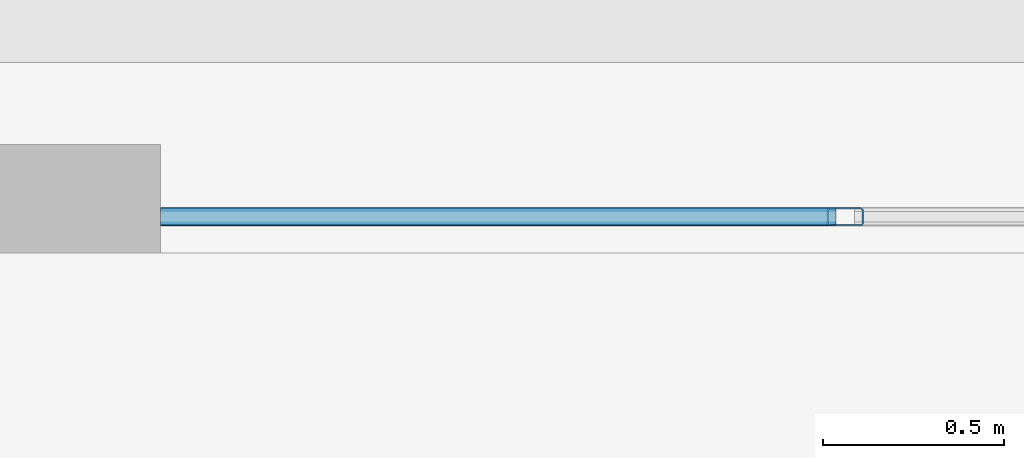
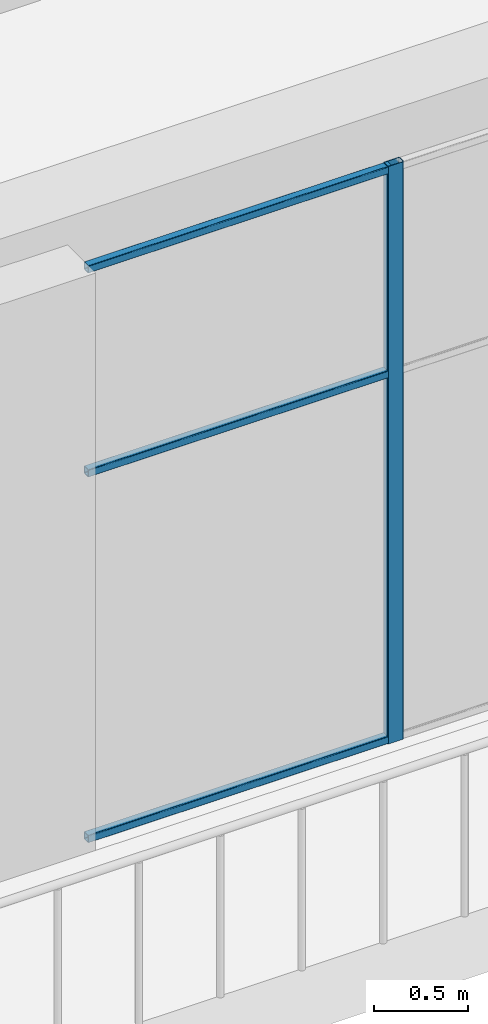
# One storey, part 38 of 81: 4 members, 1 element without a shape of its own.
"""IFC4 building model written with IfcOpenShell, lengths in metres."""

from ifc_helpers import new_model, si_unit, direction, frame, origin, origin_2d, place, context, subcontext, project, spatial, hollow_rectangle, extrude, material, layer, layer_set, material_profile, profile_set, type_object, element, aggregate, save


model = new_model("IFC4")

# Units and contexts
model_context = context("Model", 3, precision=1e-05, world=origin(), true_north=direction((0.0, 1.0)))
body_context = subcontext(model_context, "Body", "Model", "MODEL_VIEW")
ifc_project = project(units=[si_unit("LENGTHUNIT", "METRE"), si_unit("AREAUNIT", "SQUARE_METRE"), si_unit("VOLUMEUNIT", "CUBIC_METRE"), si_unit("PLANEANGLEUNIT", "RADIAN"), si_unit("MASSUNIT", "GRAM", prefix="KILO")], contexts=[model_context])

# Site, building, storey
site_placement = place(None, origin())
site = spatial("IfcSite", under=ifc_project, at=site_placement, CompositionType="ELEMENT")
building_placement = place(site_placement, origin())
building = spatial("IfcBuilding", under=site, at=building_placement, Name="Tuart Plaza Theatre", CompositionType="ELEMENT")
storey_placement = place(building_placement, frame((0.0, 0.0, 17.5)))
storey = spatial("IfcBuildingStorey", under=building, at=storey_placement, Name="L04", CompositionType="ELEMENT", Elevation=17.5)

# Curtain wall, members
ifc_material_1 = material(Name="Aluminium and glass", Category="aluminium")
ifc_layer = layer(ifc_material_1, 0.10009765625)
ifc_layer_set = layer_set([ifc_layer], Name="CURTAIN WALL 2000 module")
curtain_wall_type = type_object("IfcCurtainWallType", Name="CURTAIN WALL 2000 module", PredefinedType="NOTDEFINED", material=ifc_layer_set)
curtain_wall_placement = place(storey_placement, origin())
curtain_wall = element("IfcCurtainWall", 1, at=curtain_wall_placement, inside=storey, type_object=curtain_wall_type, Name="CW77", PredefinedType="NOTDEFINED")
ifc_material_2 = material(Name="Aluminium 6063-T5", Category="aluminium")
ifc_material_profile_1 = material_profile(ifc_material_2, hollow_rectangle(XDim=0.050048828125, YDim=0.10009765625, WallThickness=0.00390625, InnerFilletRadius=0.00390625, OuterFilletRadius=0.008056640625, at=origin_2d()), Name="RHS 100x50x4")
ifc_profile_set_1 = profile_set([ifc_material_profile_1], Name="Aluminium 6063-T5")
member_type_1 = type_object("IfcMemberType", Name="MULLION RHS 100x50x4", PredefinedType="MULLION", material=ifc_profile_set_1)
member_1_placement = place(storey_placement, frame((144.737548828125, 52.35009765625, 0.0), z_axis=(0.0, 0.0, 1.0), x_axis=(0.0, 1.0, 0.0)))
member_1 = element("IfcMember", 2, at=member_1_placement, type_object=member_type_1, Name="CW77 mullion 2", PredefinedType="MULLION", context=body_context, shape_type="SweptSolid", body=[
    extrude(hollow_rectangle(XDim=0.050048828125, YDim=0.10009765625, WallThickness=0.00390625, InnerFilletRadius=0.00390625, OuterFilletRadius=0.008056640625, at=origin_2d()), origin(), (0.0, 0.0, 1.0), 3.75),
])
ifc_material_3 = material(Name="Aluminium 6063-T5", Category="aluminium")
ifc_material_profile_2 = material_profile(ifc_material_3, hollow_rectangle(XDim=0.050048828125, YDim=0.050048828125, WallThickness=0.00390625, InnerFilletRadius=0.00390625, OuterFilletRadius=0.008056640625, at=origin_2d()), Name="RHS 50x50x4")
ifc_profile_set_2 = profile_set([ifc_material_profile_2], Name="Aluminium 6063-T5")
member_type_2 = type_object("IfcMemberType", Name="TRANSOM RHS 50x50x4", PredefinedType="USERDEFINED", material=ifc_profile_set_2)
member_2_placement = place(storey_placement, frame((142.85009765625, 52.35009765625, 0.02490234375), z_axis=(1.0, 0.0, 0.0), x_axis=(0.0, 1.0, 0.0)))
member_2 = element("IfcMember", 3, at=member_2_placement, type_object=member_type_2, Name="CW77 transom 1.1", ObjectType="TRANSOM", PredefinedType="USERDEFINED", context=body_context, shape_type="SweptSolid", body=[
    extrude(hollow_rectangle(XDim=0.050048828125, YDim=0.050048828125, WallThickness=0.00390625, InnerFilletRadius=0.00390625, OuterFilletRadius=0.008056640625, at=origin_2d()), origin(), (0.0, 0.0, 1.0), 1.8623046875),
])
member_3_placement = place(storey_placement, frame((142.85009765625, 52.35009765625, 2.39990234375), z_axis=(1.0, 0.0, 0.0), x_axis=(0.0, 1.0, 0.0)))
member_3 = element("IfcMember", 4, at=member_3_placement, type_object=member_type_2, Name="CW77 transom 1.2", ObjectType="TRANSOM", PredefinedType="USERDEFINED", context=body_context, shape_type="SweptSolid", body=[
    extrude(hollow_rectangle(XDim=0.050048828125, YDim=0.050048828125, WallThickness=0.00390625, InnerFilletRadius=0.00390625, OuterFilletRadius=0.008056640625, at=origin_2d()), origin(), (0.0, 0.0, 1.0), 1.8623046875),
])
member_4_placement = place(storey_placement, frame((142.85009765625, 52.35009765625, 3.72509765625), z_axis=(1.0, 0.0, 0.0), x_axis=(0.0, 1.0, 0.0)))
member_4 = element("IfcMember", 5, at=member_4_placement, type_object=member_type_2, Name="CW77 transom 1.3", ObjectType="TRANSOM", PredefinedType="USERDEFINED", context=body_context, shape_type="SweptSolid", body=[
    extrude(hollow_rectangle(XDim=0.050048828125, YDim=0.050048828125, WallThickness=0.00390625, InnerFilletRadius=0.00390625, OuterFilletRadius=0.008056640625, at=origin_2d()), origin(), (0.0, 0.0, 1.0), 1.8623046875),
])
aggregate(curtain_wall, [member_1, member_2, member_3, member_4])

save(model, "model.ifc")
